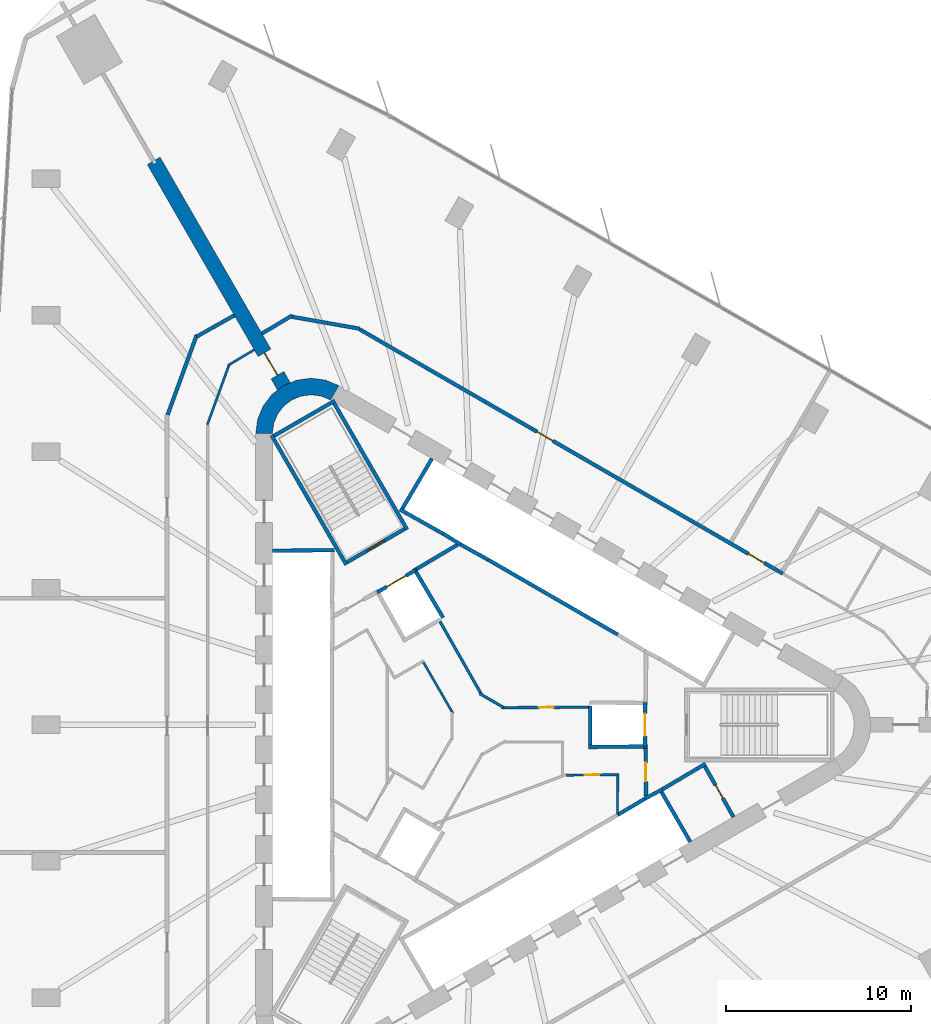
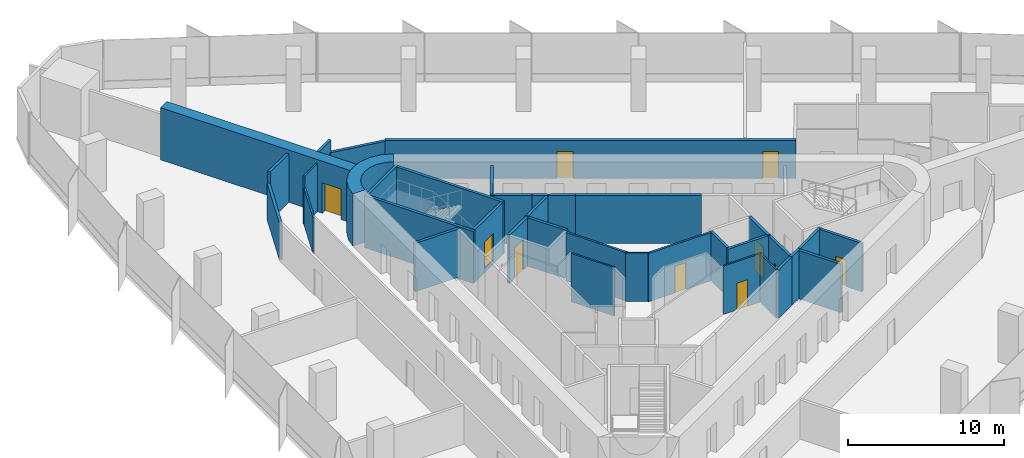
# One storey, part 11 of 14: 37 walls, 10 doors, 10 openings.
"""IFC4 building model written with IfcOpenShell, lengths in metres."""

from ifc_helpers import new_model, si_unit, direction, frame, frame_2d, origin, place, context, subcontext, project, spatial, polyline, rectangle, outline, extrude, material, layer, layer_set, type_object, element, fill, save


model = new_model("IFC4")

# Units and contexts
model_context = context("Model", 3, precision=1e-05, world=origin(), true_north=direction((0.0, 1.0)))
body_context = subcontext(model_context, "Body", "Model", "MODEL_VIEW")
ifc_project = project(units=[si_unit("LENGTHUNIT", "METRE"), si_unit("AREAUNIT", "SQUARE_METRE"), si_unit("VOLUMEUNIT", "CUBIC_METRE"), si_unit("PLANEANGLEUNIT", "RADIAN"), si_unit("MASSUNIT", "GRAM", prefix="KILO")], contexts=[model_context])

# Site, building, storey
site_placement = place(None, origin())
site = spatial("IfcSite", under=ifc_project, at=site_placement, CompositionType="ELEMENT")
building_placement = place(site_placement, origin())
building = spatial("IfcBuilding", under=site, at=building_placement, Name="Tanit Gate Tower", CompositionType="ELEMENT")
storey_placement = place(building_placement, frame((0.0, 0.0, 45.5)))
storey = spatial("IfcBuildingStorey", under=building, at=storey_placement, Name="L07", CompositionType="ELEMENT", Elevation=45.5)

# Wall, opening, door
ifc_material_1 = material(Name="Concrete C60/75", Category="concrete")
ifc_layer_1 = layer(ifc_material_1, 0.800048828125)
ifc_layer_set_1 = layer_set([ifc_layer_1], Name="BUTTRESS FIN 800 C60/75")
wall_type_1 = type_object("IfcWallType", Name="BUTTRESS FIN 800 C60/75", PredefinedType="SHEAR", material=ifc_layer_set_1)
wall_1_placement = place(storey_placement, frame((-10.574951171875, 18.31640625, 0.0), z_axis=(0.0, 0.0, 1.0), x_axis=(-0.499996272984, 0.866027555568, 0.0)))
wall_1 = element("IfcWall", 1, at=wall_1_placement, inside=storey, type_object=wall_type_1, Name="BUTTRESS FIN", PredefinedType="SHEAR", context=body_context, shape_type="SweptSolid", body=[
    extrude(rectangle(XDim=14.09814453125, YDim=0.800048828125, at=frame_2d((7.049072265625, 0.0))), origin(), (0.0, 0.0, 1.0), 4.10009765625),
])
opening_1_placement = place(wall_1_placement, frame((0.699951171875, 0.0, 0.0)))
opening_1 = element("IfcOpeningElement", 2, at=opening_1_placement, cuts=wall_1, Name="Opening P14-S00-F-NW-1", PredefinedType="OPENING", context=body_context, shape_type="SweptSolid", body=[
    extrude(rectangle(XDim=1.39990234375, YDim=2.39990234375, at=frame_2d((0.699951171875, 1.199951171875))), frame((0.0, 0.41015625, 0.0), z_axis=(0.0, -1.0, 0.0), x_axis=(1.0, 0.0, 0.0)), (0.0, 0.0, 1.0), 0.820068359375),
])
ifc_material_2 = material(Name="Timber door leaf", Category="wood")
door_type_1 = type_object("IfcDoorType", Name="INT-DOOR-FIN-PAIR-1400", OperationType="NOTDEFINED", PredefinedType="NOTDEFINED", material=ifc_material_2)
door_1_placement = place(opening_1_placement, origin())
door_1 = element("IfcDoor", 3, at=door_1_placement, inside=storey, type_object=door_type_1, Name="Door P14-S00-F-NW-1", OperationType="DOUBLE_DOOR_SINGLE_SWING", OverallHeight=2.39990234375, OverallWidth=1.39990234375, PredefinedType="NOTDEFINED", context=body_context, shape_type="SweptSolid", body=[
    extrude(rectangle(XDim=1.39990234375, YDim=2.39990234375, at=frame_2d((0.699951171875, 1.199951171875))), frame((0.0, 0.02490234375, 0.0), z_axis=(0.0, -1.0, 0.0), x_axis=(1.0, 0.0, 0.0)), (0.0, 0.0, 1.0), 0.050048828125),
])
fill(opening_1, door_1)

# Walls
ifc_material_3 = material(Name="Concrete C60/75", Category="concrete")
ifc_layer_2 = layer(ifc_material_3, 0.89990234375)
ifc_layer_set_2 = layer_set([ifc_layer_2], Name="CORE WALL 900 C60/75")
wall_type_2 = type_object("IfcWallType", Name="CORE WALL 900 C60/75", PredefinedType="SHEAR", material=ifc_layer_set_2)
wall_2_placement = place(storey_placement, origin())
element("IfcWall", 4, at=wall_2_placement, inside=storey, type_object=wall_type_2, Name="CORE WALL CORNER", PredefinedType="SHEAR", context=body_context, shape_type="SweptSolid", body=[
    extrude(outline(polyline([(-7.60009765625, 18.359619140625), (-8.323486328125, 18.659423828125), (-9.10009765625, 18.76171875), (-9.87646484375, 18.659423828125), (-10.60009765625, 18.359619140625), (-11.22119140625, 17.883056640625), (-11.697998046875, 17.26171875), (-11.997802734375, 16.5380859375), (-12.10009765625, 15.76171875), (-11.199951171875, 15.76171875), (-11.12841796875, 16.30517578125), (-10.918701171875, 16.811767578125), (-10.5849609375, 17.24658203125), (-10.14990234375, 17.580322265625), (-9.6435546875, 17.7900390625), (-9.10009765625, 17.86181640625), (-8.556396484375, 17.7900390625), (-8.050048828125, 17.580322265625), (-7.60009765625, 18.359619140625)])), origin(), (0.0, 0.0, 1.0), 4.10009765625),
])
ifc_material_4 = material(Name="Fire-rated gypsum board partition")
ifc_layer_3 = layer(ifc_material_4, 0.199951171875)
ifc_layer_set_3 = layer_set([ifc_layer_3], Name="INT-WALL-COMPARTMENT")
wall_type_3 = type_object("IfcWallType", Name="INT-WALL-COMPARTMENT", PredefinedType="PARTITIONING", material=ifc_layer_set_3)
wall_3_placement = place(storey_placement, frame((12.244873046875, -2.10888671875, 0.0), z_axis=(0.0, 0.0, 1.0), x_axis=(-0.860414880418, -0.509594185166, 0.0)))
element("IfcWall", 5, at=wall_3_placement, inside=storey, type_object=wall_type_3, Name="Wall Compartment W057", PredefinedType="PARTITIONING", context=body_context, shape_type="SweptSolid", body=[
    extrude(rectangle(XDim=2.7001953125, YDim=0.199951171875, at=frame_2d((1.35009765625, 0.0))), origin(), (0.0, 0.0, 1.0), 3.800048828125),
])

# Wall, opening, door
wall_4_placement = place(storey_placement, frame((13.758056640625, -4.989501953125, 0.0), z_axis=(0.0, 0.0, 1.0), x_axis=(-0.491993409184, 0.87059892334, 0.0)))
wall_4 = element("IfcWall", 6, at=wall_4_placement, inside=storey, type_object=wall_type_3, Name="Wall Compartment W058", PredefinedType="PARTITIONING", context=body_context, shape_type="SweptSolid", body=[
    extrude(rectangle(XDim=3.150146484375, YDim=0.199951171875, at=frame_2d((1.5751953125, 0.0))), origin(), (0.0, 0.0, 1.0), 3.800048828125),
])
opening_2_placement = place(wall_4_placement, frame((1.175048828125, 0.0, 0.0)))
opening_2 = element("IfcOpeningElement", 7, at=opening_2_placement, cuts=wall_4, Name="Opening R08-S00-15", PredefinedType="OPENING", context=body_context, shape_type="SweptSolid", body=[
    extrude(rectangle(XDim=0.800048828125, YDim=2.10009765625, at=frame_2d((0.39990234375, 1.050048828125))), frame((0.0, 0.10986328125, 0.0), z_axis=(0.0, -1.0, 0.0), x_axis=(1.0, 0.0, 0.0)), (0.0, 0.0, 1.0), 0.219970703125),
])
ifc_material_5 = material(Name="Timber door leaf", Category="wood")
door_type_2 = type_object("IfcDoorType", Name="INT-DOOR-RISER-800", OperationType="NOTDEFINED", PredefinedType="USERDEFINED", material=ifc_material_5)
door_2_placement = place(opening_2_placement, origin())
door_2 = element("IfcDoor", 8, at=door_2_placement, inside=storey, type_object=door_type_2, Name="Door R08-S00-15", ObjectType="FIRE DOOR", OperationType="SINGLE_SWING_RIGHT", OverallHeight=2.10009765625, OverallWidth=0.800048828125, PredefinedType="USERDEFINED", context=body_context, shape_type="SweptSolid", body=[
    extrude(rectangle(XDim=0.800048828125, YDim=2.10009765625, at=frame_2d((0.39990234375, 1.050048828125))), frame((0.0, 0.02490234375, 0.0), z_axis=(0.0, -1.0, 0.0), x_axis=(1.0, 0.0, 0.0)), (0.0, 0.0, 1.0), 0.050048828125),
])
fill(opening_2, door_2)

wall_5_placement = place(storey_placement, frame((9.02880859375, -3.850830078125, 0.0), z_axis=(0.0, 0.0, 1.0), x_axis=(-0.010783593937, 0.99994185536, 0.0)))
wall_5 = element("IfcWall", 9, at=wall_5_placement, inside=storey, type_object=wall_type_3, Name="Wall Compartment W060", PredefinedType="PARTITIONING", context=body_context, shape_type="SweptSolid", body=[
    extrude(rectangle(XDim=2.5810546875, YDim=0.199951171875, at=frame_2d((1.29052734375, 0.0))), origin(), (0.0, 0.0, 1.0), 3.800048828125),
])
opening_3_placement = place(wall_5_placement, frame((0.79052734375, 0.0, 0.0)))
opening_3 = element("IfcOpeningElement", 10, at=opening_3_placement, cuts=wall_5, Name="Opening F10-S00-02", PredefinedType="OPENING", context=body_context, shape_type="SweptSolid", body=[
    extrude(rectangle(XDim=1.0, YDim=2.10009765625, at=frame_2d((0.5, 1.050048828125))), frame((0.0, 0.10986328125, 0.0), z_axis=(0.0, -1.0, 0.0), x_axis=(1.0, 0.0, 0.0)), (0.0, 0.0, 1.0), 0.219970703125),
])
ifc_material_6 = material(Name="Fire-rated steel door leaf", Category="steel")
door_type_3 = type_object("IfcDoorType", Name="INT-DOOR-FIRE-1000", OperationType="NOTDEFINED", PredefinedType="USERDEFINED", material=ifc_material_6)
door_3_placement = place(opening_3_placement, origin())
door_3 = element("IfcDoor", 11, at=door_3_placement, inside=storey, type_object=door_type_3, Name="Door F10-S00-02", ObjectType="FIRE DOOR", OperationType="SINGLE_SWING_LEFT", OverallHeight=2.10009765625, OverallWidth=1.0, PredefinedType="USERDEFINED", context=body_context, shape_type="SweptSolid", body=[
    extrude(rectangle(XDim=1.0, YDim=2.10009765625, at=frame_2d((0.5, 1.050048828125))), frame((0.0, 0.02490234375, 0.0), z_axis=(0.0, -1.0, 0.0), x_axis=(1.0, 0.0, 0.0)), (0.0, 0.0, 1.0), 0.050048828125),
])
fill(opening_3, door_3)

# Walls
wall_6_placement = place(storey_placement, frame((-1.1796875, 9.744384765625, 0.0), z_axis=(0.0, 0.0, 1.0), x_axis=(-0.860615607571, -0.509255118781, 0.0)))
element("IfcWall", 12, at=wall_6_placement, inside=storey, type_object=wall_type_3, Name="Wall Compartment W061", PredefinedType="PARTITIONING", context=body_context, shape_type="SweptSolid", body=[
    extrude(rectangle(XDim=2.58056640625, YDim=0.199951171875, at=frame_2d((1.290283203125, 0.0))), origin(), (0.0, 0.0, 1.0), 3.800048828125),
])
wall_7_placement = place(storey_placement, frame((-15.29345703125, 21.1015625, 0.0), z_axis=(0.0, 0.0, 1.0), x_axis=(-0.341981820704, -0.939706568195, 0.0)))
element("IfcWall", 13, at=wall_7_placement, inside=storey, type_object=wall_type_3, Name="Wall Compartment W098", PredefinedType="PARTITIONING", context=body_context, shape_type="SweptSolid", body=[
    extrude(rectangle(XDim=4.597412109375, YDim=0.199951171875, at=frame_2d((2.298828125, 0.0))), origin(), (0.0, 0.0, 1.0), 2.8798828125),
])
wall_8_placement = place(storey_placement, frame((-13.256591796875, 22.1611328125, 0.0), z_axis=(0.0, 0.0, 1.0), x_axis=(-0.871385546515, -0.49059884766, 0.0)))
element("IfcWall", 14, at=wall_8_placement, inside=storey, type_object=wall_type_3, Name="Wall Compartment W099", PredefinedType="PARTITIONING", context=body_context, shape_type="SweptSolid", body=[
    extrude(rectangle(XDim=2.33447265625, YDim=0.199951171875, at=frame_2d((1.167236328125, 0.0))), origin(), (0.0, 0.0, 1.0), 3.800048828125),
])
wall_9_placement = place(storey_placement, frame((-10.11767578125, 22.157470703125, 0.0), z_axis=(0.0, 0.0, 1.0), x_axis=(-0.859118225537, -0.511777172752, 0.0)))
element("IfcWall", 15, at=wall_9_placement, inside=storey, type_object=wall_type_3, Name="Wall Compartment W100", PredefinedType="PARTITIONING", context=body_context, shape_type="SweptSolid", body=[
    extrude(rectangle(XDim=1.916748046875, YDim=0.199951171875, at=frame_2d((0.95849609375, 0.0))), origin(), (0.0, 0.0, 1.0), 3.800048828125),
])
wall_10_placement = place(storey_placement, frame((-6.458984375, 21.435546875, 0.0), z_axis=(0.0, 0.0, 1.0), x_axis=(-0.984812903812, 0.173618963498, 0.0)))
element("IfcWall", 16, at=wall_10_placement, inside=storey, type_object=wall_type_3, Name="Wall Compartment W101", PredefinedType="PARTITIONING", context=body_context, shape_type="SweptSolid", body=[
    extrude(rectangle(XDim=3.76708984375, YDim=0.199951171875, at=frame_2d((1.883544921875, 0.0))), origin(), (0.0, 0.0, 1.0), 2.8798828125),
])

# Wall, openings, doors
wall_11_placement = place(storey_placement, frame((16.4228515625, 8.185302734375, 0.0), z_axis=(0.0, 0.0, 1.0), x_axis=(-0.866026561282, 0.49999799515, 0.0)))
wall_11 = element("IfcWall", 17, at=wall_11_placement, inside=storey, type_object=wall_type_3, Name="Wall Compartment W103", PredefinedType="PARTITIONING", context=body_context, shape_type="SweptSolid", body=[
    extrude(rectangle(XDim=26.43505859375, YDim=0.199951171875, at=frame_2d((13.217529296875, 0.0))), origin(), (0.0, 0.0, 1.0), 2.97998046875),
])
opening_4_placement = place(wall_11_placement, frame((14.3564453125, 0.0, 0.0)))
opening_4 = element("IfcOpeningElement", 18, at=opening_4_placement, cuts=wall_11, Name="Opening F10-S00-24", PredefinedType="OPENING", context=body_context, shape_type="SweptSolid", body=[
    extrude(rectangle(XDim=1.0, YDim=2.10009765625, at=frame_2d((0.5, 1.050048828125))), frame((0.0, 0.10986328125, 0.0), z_axis=(0.0, -1.0, 0.0), x_axis=(1.0, 0.0, 0.0)), (0.0, 0.0, 1.0), 0.219970703125),
])
opening_5_placement = place(wall_11_placement, frame((1.138671875, 0.0, 0.0)))
opening_5 = element("IfcOpeningElement", 19, at=opening_5_placement, cuts=wall_11, Name="Opening F10-S00-25", PredefinedType="OPENING", context=body_context, shape_type="SweptSolid", body=[
    extrude(rectangle(XDim=1.0, YDim=2.10009765625, at=frame_2d((0.5, 1.050048828125))), frame((0.0, 0.10986328125, 0.0), z_axis=(0.0, -1.0, 0.0), x_axis=(1.0, 0.0, 0.0)), (0.0, 0.0, 1.0), 0.219970703125),
])
door_4_placement = place(opening_4_placement, origin())
door_4 = element("IfcDoor", 20, at=door_4_placement, inside=storey, type_object=door_type_3, Name="Door F10-S00-24", ObjectType="FIRE DOOR", OperationType="SINGLE_SWING_RIGHT", OverallHeight=2.10009765625, OverallWidth=1.0, PredefinedType="USERDEFINED", context=body_context, shape_type="SweptSolid", body=[
    extrude(rectangle(XDim=1.0, YDim=2.10009765625, at=frame_2d((0.5, 1.050048828125))), frame((0.0, 0.02490234375, 0.0), z_axis=(0.0, -1.0, 0.0), x_axis=(1.0, 0.0, 0.0)), (0.0, 0.0, 1.0), 0.050048828125),
])
fill(opening_4, door_4)
door_5_placement = place(opening_5_placement, origin())
door_5 = element("IfcDoor", 21, at=door_5_placement, inside=storey, type_object=door_type_3, Name="Door F10-S00-25", ObjectType="FIRE DOOR", OperationType="SINGLE_SWING_RIGHT", OverallHeight=2.10009765625, OverallWidth=1.0, PredefinedType="USERDEFINED", context=body_context, shape_type="SweptSolid", body=[
    extrude(rectangle(XDim=1.0, YDim=2.10009765625, at=frame_2d((0.5, 1.050048828125))), frame((0.0, 0.02490234375, 0.0), z_axis=(0.0, -1.0, 0.0), x_axis=(1.0, 0.0, 0.0)), (0.0, 0.0, 1.0), 0.050048828125),
])
fill(opening_5, door_5)

# Wall, opening, door
ifc_material_7 = material(Name="Gypsum board partition")
ifc_layer_4 = layer(ifc_material_7, 0.1201171875)
ifc_layer_set_4 = layer_set([ifc_layer_4], Name="INT-WALL-PARTITION")
wall_type_4 = type_object("IfcWallType", Name="INT-WALL-PARTITION", PredefinedType="PARTITIONING", material=ifc_layer_set_4)
wall_12_placement = place(storey_placement, frame((7.56005859375, -2.699462890625, 0.0), z_axis=(0.0, 0.0, 1.0), x_axis=(-0.999948120507, -0.010186083405, 0.0)))
wall_12 = element("IfcWall", 22, at=wall_12_placement, inside=storey, type_object=wall_type_4, Name="Wall Partition W074", PredefinedType="PARTITIONING", context=body_context, shape_type="SweptSolid", body=[
    extrude(rectangle(XDim=2.852294921875, YDim=0.1201171875, at=frame_2d((1.42626953125, 0.0))), origin(), (0.0, 0.0, 1.0), 3.800048828125),
])
opening_6_placement = place(wall_12_placement, frame((1.05615234375, 0.0, 0.0)))
opening_6 = element("IfcOpeningElement", 23, at=opening_6_placement, cuts=wall_12, Name="Opening R08-S00-12", PredefinedType="OPENING", context=body_context, shape_type="SweptSolid", body=[
    extrude(rectangle(XDim=0.800048828125, YDim=2.10009765625, at=frame_2d((0.39990234375, 1.050048828125))), frame((0.0, 0.070068359375, 0.0), z_axis=(0.0, -1.0, 0.0), x_axis=(1.0, 0.0, 0.0)), (0.0, 0.0, 1.0), 0.14013671875),
])
door_6_placement = place(opening_6_placement, origin())
door_6 = element("IfcDoor", 24, at=door_6_placement, inside=storey, type_object=door_type_2, Name="Door R08-S00-12", ObjectType="FIRE DOOR", OperationType="SINGLE_SWING_RIGHT", OverallHeight=2.10009765625, OverallWidth=0.800048828125, PredefinedType="USERDEFINED", context=body_context, shape_type="SweptSolid", body=[
    extrude(rectangle(XDim=0.800048828125, YDim=2.10009765625, at=frame_2d((0.39990234375, 1.050048828125))), frame((0.0, 0.02490234375, 0.0), z_axis=(0.0, -1.0, 0.0), x_axis=(1.0, 0.0, 0.0)), (0.0, 0.0, 1.0), 0.050048828125),
])
fill(opening_6, door_6)

# Walls
wall_13_placement = place(storey_placement, frame((7.474609375, -4.864501953125, 0.0), z_axis=(0.0, 0.0, 1.0), x_axis=(0.011716133148, 0.999931363757, 0.0)))
element("IfcWall", 25, at=wall_13_placement, inside=storey, type_object=wall_type_4, Name="Wall Partition W075", PredefinedType="PARTITIONING", context=body_context, shape_type="SweptSolid", body=[
    extrude(rectangle(XDim=2.104736328125, YDim=0.1201171875, at=frame_2d((1.05224609375, 0.0))), origin(), (0.0, 0.0, 1.0), 3.800048828125),
])
wall_14_placement = place(storey_placement, frame((-1.420166015625, 0.610107421875, 0.0), z_axis=(0.0, 0.0, 1.0), x_axis=(-0.500034908033, 0.866005248684, 0.0)))
element("IfcWall", 26, at=wall_14_placement, inside=storey, type_object=wall_type_4, Name="Wall Partition W083", PredefinedType="PARTITIONING", context=body_context, shape_type="SweptSolid", body=[
    extrude(rectangle(XDim=3.201416015625, YDim=0.1201171875, at=frame_2d((1.6005859375, 0.0))), origin(), (0.0, 0.0, 1.0), 3.800048828125),
])
wall_15_placement = place(storey_placement, frame((-12.181396484375, 20.299072265625, 0.0), z_axis=(0.0, 0.0, 1.0), x_axis=(-0.8583241935, -0.51310776534, 0.0)))
element("IfcWall", 27, at=wall_15_placement, inside=storey, type_object=wall_type_4, Name="Wall Partition W088", PredefinedType="PARTITIONING", context=body_context, shape_type="SweptSolid", body=[
    extrude(rectangle(XDim=1.65625, YDim=0.1201171875, at=frame_2d((0.828125, 0.0))), origin(), (0.0, 0.0, 1.0), 3.800048828125),
])
wall_16_placement = place(storey_placement, frame((-13.54931640625, 19.461181640625, 0.0), z_axis=(0.0, 0.0, 1.0), x_axis=(-0.341989191955, -0.939703885586, 0.0)))
element("IfcWall", 28, at=wall_16_placement, inside=storey, type_object=wall_type_4, Name="Wall Partition W089", PredefinedType="PARTITIONING", context=body_context, shape_type="SweptSolid", body=[
    extrude(rectangle(XDim=3.424560546875, YDim=0.1201171875, at=frame_2d((1.71240234375, 0.0))), origin(), (0.0, 0.0, 1.0), 2.8798828125),
])

# Wall, opening, door
ifc_material_8 = material(Name="Fire-rated gypsum board partition")
ifc_layer_5 = layer(ifc_material_8, 0.14990234375)
ifc_layer_set_5 = layer_set([ifc_layer_5], Name="INT-WALL-RISER")
wall_type_5 = type_object("IfcWallType", Name="INT-WALL-RISER", PredefinedType="PLUMBINGWALL", material=ifc_layer_set_5)
wall_17_placement = place(storey_placement, frame((1.21435546875, 0.924072265625, 0.0), z_axis=(0.0, 0.0, 1.0), x_axis=(0.999979796062, 0.006356686907, 0.0)))
wall_17 = element("IfcWall", 29, at=wall_17_placement, inside=storey, type_object=wall_type_5, Name="Wall Riser W065", PredefinedType="PLUMBINGWALL", context=body_context, shape_type="SweptSolid", body=[
    extrude(rectangle(XDim=4.685546875, YDim=0.14990234375, at=frame_2d((2.3427734375, 0.0))), origin(), (0.0, 0.0, 1.0), 3.800048828125),
])
opening_7_placement = place(wall_17_placement, frame((2.0068359375, 0.0, 0.0)))
opening_7 = element("IfcOpeningElement", 30, at=opening_7_placement, cuts=wall_17, Name="Opening R08-S00-10", PredefinedType="OPENING", context=body_context, shape_type="SweptSolid", body=[
    extrude(rectangle(XDim=0.800048828125, YDim=2.10009765625, at=frame_2d((0.39990234375, 1.050048828125))), frame((0.0, 0.0849609375, 0.0), z_axis=(0.0, -1.0, 0.0), x_axis=(1.0, 0.0, 0.0)), (0.0, 0.0, 1.0), 0.169921875),
])
door_7_placement = place(opening_7_placement, origin())
door_7 = element("IfcDoor", 31, at=door_7_placement, inside=storey, type_object=door_type_2, Name="Door R08-S00-10", ObjectType="FIRE DOOR", OperationType="SINGLE_SWING_LEFT", OverallHeight=2.10009765625, OverallWidth=0.800048828125, PredefinedType="USERDEFINED", context=body_context, shape_type="SweptSolid", body=[
    extrude(rectangle(XDim=0.800048828125, YDim=2.10009765625, at=frame_2d((0.39990234375, 1.050048828125))), frame((0.0, 0.02490234375, 0.0), z_axis=(0.0, -1.0, 0.0), x_axis=(1.0, 0.0, 0.0)), (0.0, 0.0, 1.0), 0.050048828125),
])
fill(opening_7, door_7)

# Walls
wall_18_placement = place(storey_placement, frame((0.01904296875, 1.68896484375, 0.0), z_axis=(0.0, 0.0, 1.0), x_axis=(0.866047774678, -0.499961250474, 0.0)))
element("IfcWall", 32, at=wall_18_placement, inside=storey, type_object=wall_type_5, Name="Wall Riser W066", PredefinedType="PLUMBINGWALL", context=body_context, shape_type="SweptSolid", body=[
    extrude(rectangle(XDim=1.50439453125, YDim=0.14990234375, at=frame_2d((0.752197265625, 0.0))), origin(), (0.0, 0.0, 1.0), 3.800048828125),
])
wall_19_placement = place(storey_placement, frame((-2.1240234375, 5.58642578125, 0.0), z_axis=(0.0, 0.0, 1.0), x_axis=(0.494514430604, -0.869169418424, 0.0)))
element("IfcWall", 33, at=wall_19_placement, inside=storey, type_object=wall_type_5, Name="Wall Riser W067", PredefinedType="PLUMBINGWALL", context=body_context, shape_type="SweptSolid", body=[
    extrude(rectangle(XDim=4.5341796875, YDim=0.14990234375, at=frame_2d((2.26708984375, 0.0))), origin(), (0.0, 0.0, 1.0), 3.800048828125),
])
ifc_material_9 = material(Name="Gypsum shaft wall system")
ifc_layer_6 = layer(ifc_material_9, 0.199951171875)
ifc_layer_set_6 = layer_set([ifc_layer_6], Name="INT-WALL-SHAFT")
wall_type_6 = type_object("IfcWallType", Name="INT-WALL-SHAFT", PredefinedType="PLUMBINGWALL", material=ifc_layer_set_6)
wall_20_placement = place(storey_placement, frame((-11.199951171875, 9.419921875, 0.0), z_axis=(0.0, 0.0, 1.0), x_axis=(0.999957167047, 0.009255488683, 0.0)))
element("IfcWall", 34, at=wall_20_placement, inside=storey, type_object=wall_type_6, Name="Wall Shaft W001", PredefinedType="PLUMBINGWALL", context=body_context, shape_type="SweptSolid", body=[
    extrude(rectangle(XDim=3.35009765625, YDim=0.199951171875, at=frame_2d((1.675048828125, 0.0))), origin(), (0.0, 0.0, 1.0), 3.800048828125),
])
wall_21_placement = place(storey_placement, frame((7.497314453125, 4.885986328125, 0.0), z_axis=(0.0, 0.0, 1.0), x_axis=(-0.866030989016, 0.499990325971, 0.0)))
element("IfcWall", 35, at=wall_21_placement, inside=storey, type_object=wall_type_6, Name="Wall Shaft W003", PredefinedType="PLUMBINGWALL", context=body_context, shape_type="SweptSolid", body=[
    extrude(rectangle(XDim=8.099853515625, YDim=0.199951171875, at=frame_2d((4.0498046875, 0.0))), origin(), (0.0, 0.0, 1.0), 3.800048828125),
])
wall_22_placement = place(storey_placement, frame((-1.940673828125, 10.338623046875, 0.0), z_axis=(0.0, 0.0, 1.0), x_axis=(0.850216889117, -0.526432561171, 0.0)))
element("IfcWall", 36, at=wall_22_placement, inside=storey, type_object=wall_type_6, Name="Wall Shaft W019", PredefinedType="PLUMBINGWALL", context=body_context, shape_type="SweptSolid", body=[
    extrude(rectangle(XDim=1.078369140625, YDim=0.199951171875, at=frame_2d((0.5390625, 0.0))), origin(), (0.0, 0.0, 1.0), 3.800048828125),
])
wall_23_placement = place(storey_placement, frame((0.482666015625, 8.935791015625, 0.0), z_axis=(0.0, 0.0, 1.0), x_axis=(-0.874269620932, 0.485440655401, 0.0)))
element("IfcWall", 37, at=wall_23_placement, inside=storey, type_object=wall_type_6, Name="Wall Shaft W020", PredefinedType="PLUMBINGWALL", context=body_context, shape_type="SweptSolid", body=[
    extrude(rectangle(XDim=1.8447265625, YDim=0.199951171875, at=frame_2d((0.92236328125, 0.0))), origin(), (0.0, 0.0, 1.0), 3.800048828125),
])
wall_24_placement = place(storey_placement, frame((-4.296142578125, 11.658935546875, 0.0), z_axis=(0.0, 0.0, 1.0), x_axis=(0.871534483978, -0.490334215854, 0.0)))
element("IfcWall", 38, at=wall_24_placement, inside=storey, type_object=wall_type_6, Name="Wall Shaft W021", PredefinedType="PLUMBINGWALL", context=body_context, shape_type="SweptSolid", body=[
    extrude(rectangle(XDim=2.7001953125, YDim=0.199951171875, at=frame_2d((1.35009765625, 0.0))), origin(), (0.0, 0.0, 1.0), 3.800048828125),
])
wall_25_placement = place(storey_placement, frame((-4.158203125, 11.696044921875, 0.0), z_axis=(0.0, 0.0, 1.0), x_axis=(0.508018930956, 0.861345903683, 0.0)))
element("IfcWall", 39, at=wall_25_placement, inside=storey, type_object=wall_type_6, Name="Wall Shaft W022", PredefinedType="PLUMBINGWALL", context=body_context, shape_type="SweptSolid", body=[
    extrude(rectangle(XDim=3.150146484375, YDim=0.199951171875, at=frame_2d((1.5751953125, 0.0))), origin(), (0.0, 0.0, 1.0), 3.800048828125),
])
wall_26_placement = place(storey_placement, frame((9.794677734375, -3.52490234375, 0.0), z_axis=(0.0, 0.0, 1.0), x_axis=(0.499984717929, -0.866034226713, 0.0)))
element("IfcWall", 40, at=wall_26_placement, inside=storey, type_object=wall_type_6, Name="Wall Shaft W024", PredefinedType="PLUMBINGWALL", context=body_context, shape_type="SweptSolid", body=[
    extrude(rectangle(XDim=3.25, YDim=0.199951171875, at=frame_2d((1.625, 0.0))), origin(), (0.0, 0.0, 1.0), 3.800048828125),
])
wall_27_placement = place(storey_placement, frame((8.97412109375, -3.998779296875, 0.0), z_axis=(0.0, 0.0, 1.0), x_axis=(0.880907015104, 0.473289373154, 0.0)))
element("IfcWall", 41, at=wall_27_placement, inside=storey, type_object=wall_type_6, Name="Wall Shaft W025", PredefinedType="PLUMBINGWALL", context=body_context, shape_type="SweptSolid", body=[
    extrude(rectangle(XDim=1.078125, YDim=0.199951171875, at=frame_2d((0.5390625, 0.0))), origin(), (0.0, 0.0, 1.0), 3.800048828125),
])
wall_28_placement = place(storey_placement, frame((7.4931640625, -4.87841796875, 0.0), z_axis=(0.0, 0.0, 1.0), x_axis=(0.859981807212, 0.510324691999, 0.0)))
element("IfcWall", 42, at=wall_28_placement, inside=storey, type_object=wall_type_6, Name="Wall Shaft W026", PredefinedType="PLUMBINGWALL", context=body_context, shape_type="SweptSolid", body=[
    extrude(rectangle(XDim=1.8447265625, YDim=0.199951171875, at=frame_2d((0.92236328125, 0.0))), origin(), (0.0, 0.0, 1.0), 3.800048828125),
])

# Wall, opening, door
wall_29_placement = place(storey_placement, frame((8.969970703125, 1.199951171875, 0.0), z_axis=(0.0, 0.0, 1.0), x_axis=(0.0, -1.0, 0.0)))
wall_29 = element("IfcWall", 43, at=wall_29_placement, inside=storey, type_object=wall_type_6, Name="Wall Shaft W037", PredefinedType="PLUMBINGWALL", context=body_context, shape_type="SweptSolid", body=[
    extrude(rectangle(XDim=2.39990234375, YDim=0.199951171875, at=frame_2d((1.199951171875, 0.0))), origin(), (0.0, 0.0, 1.0), 3.800048828125),
])
opening_8_placement = place(wall_29_placement, frame((0.60009765625, 0.0, 0.0)))
opening_8 = element("IfcOpeningElement", 44, at=opening_8_placement, cuts=wall_29, Name="Opening LDFL1-L07", PredefinedType="OPENING", context=body_context, shape_type="SweptSolid", body=[
    extrude(rectangle(XDim=1.199951171875, YDim=2.39990234375, at=frame_2d((0.60009765625, 1.199951171875))), frame((0.0, 0.10986328125, 0.0), z_axis=(0.0, -1.0, 0.0), x_axis=(1.0, 0.0, 0.0)), (0.0, 0.0, 1.0), 0.219970703125),
])
ifc_material_10 = material(Name="Stainless steel sliding door leaf", Category="steel")
door_type_4 = type_object("IfcDoorType", Name="INT-DOOR-LANDING-1200", OperationType="NOTDEFINED", PredefinedType="USERDEFINED", material=ifc_material_10)
door_8_placement = place(opening_8_placement, origin())
door_8 = element("IfcDoor", 45, at=door_8_placement, inside=storey, type_object=door_type_4, Name="Door LDFL1-L07", ObjectType="LANDING DOOR", OperationType="SLIDING_TO_LEFT", OverallHeight=2.39990234375, OverallWidth=1.199951171875, PredefinedType="USERDEFINED", context=body_context, shape_type="SweptSolid", body=[
    extrude(rectangle(XDim=1.199951171875, YDim=2.39990234375, at=frame_2d((0.60009765625, 1.199951171875))), frame((0.0, 0.02490234375, 0.0), z_axis=(0.0, -1.0, 0.0), x_axis=(1.0, 0.0, 0.0)), (0.0, 0.0, 1.0), 0.050048828125),
])
fill(opening_8, door_8)

# Walls
wall_30_placement = place(storey_placement, frame((5.89990234375, -1.200927734375, 0.0), z_axis=(0.0, 0.0, 1.0), x_axis=(0.999950064753, 0.009993397809, 0.0)))
element("IfcWall", 46, at=wall_30_placement, inside=storey, type_object=wall_type_6, Name="Wall Shaft W039", PredefinedType="PLUMBINGWALL", context=body_context, shape_type="SweptSolid", body=[
    extrude(rectangle(XDim=3.200439453125, YDim=0.199951171875, at=frame_2d((1.60009765625, 0.0))), origin(), (0.0, 0.0, 1.0), 3.800048828125),
])
wall_31_placement = place(storey_placement, frame((6.0, -1.10009765625, 0.0), z_axis=(0.0, 0.0, 1.0), x_axis=(0.0, 1.0, 0.0)))
element("IfcWall", 47, at=wall_31_placement, inside=storey, type_object=wall_type_6, Name="Wall Shaft W040", PredefinedType="PLUMBINGWALL", context=body_context, shape_type="SweptSolid", body=[
    extrude(rectangle(XDim=2.129638671875, YDim=0.199951171875, at=frame_2d((1.06494140625, 0.0))), origin(), (0.0, 0.0, 1.0), 3.800048828125),
])

# Wall, opening, door
wall_32_placement = place(storey_placement, frame((-5.524169921875, 7.168212890625, 0.0), z_axis=(0.0, 0.0, 1.0), x_axis=(0.866024647952, 0.500001309137, 0.0)))
wall_32 = element("IfcWall", 48, at=wall_32_placement, inside=storey, type_object=wall_type_6, Name="Wall Shaft W045", PredefinedType="PLUMBINGWALL", context=body_context, shape_type="SweptSolid", body=[
    extrude(rectangle(XDim=2.39990234375, YDim=0.199951171875, at=frame_2d((1.199951171875, 0.0))), origin(), (0.0, 0.0, 1.0), 3.800048828125),
])
opening_9_placement = place(wall_32_placement, frame((0.60009765625, 0.0, 0.0)))
opening_9 = element("IfcOpeningElement", 49, at=opening_9_placement, cuts=wall_32, Name="Opening LDFL2-L07", PredefinedType="OPENING", context=body_context, shape_type="SweptSolid", body=[
    extrude(rectangle(XDim=1.199951171875, YDim=2.39990234375, at=frame_2d((0.60009765625, 1.199951171875))), frame((0.0, 0.10986328125, 0.0), z_axis=(0.0, -1.0, 0.0), x_axis=(1.0, 0.0, 0.0)), (0.0, 0.0, 1.0), 0.219970703125),
])
door_9_placement = place(opening_9_placement, origin())
door_9 = element("IfcDoor", 50, at=door_9_placement, inside=storey, type_object=door_type_4, Name="Door LDFL2-L07", ObjectType="LANDING DOOR", OperationType="SLIDING_TO_LEFT", OverallHeight=2.39990234375, OverallWidth=1.199951171875, PredefinedType="USERDEFINED", context=body_context, shape_type="SweptSolid", body=[
    extrude(rectangle(XDim=1.199951171875, YDim=2.39990234375, at=frame_2d((0.60009765625, 1.199951171875))), frame((0.0, 0.02490234375, 0.0), z_axis=(0.0, -1.0, 0.0), x_axis=(1.0, 0.0, 0.0)), (0.0, 0.0, 1.0), 0.050048828125),
])
fill(opening_9, door_9)

# Walls
wall_33_placement = place(storey_placement, frame((-3.53759765625, 8.46533203125, 0.0), z_axis=(0.0, 0.0, 1.0), x_axis=(0.508647062354, -0.860975125052, 0.0)))
element("IfcWall", 51, at=wall_33_placement, inside=storey, type_object=wall_type_6, Name="Wall Shaft W046", PredefinedType="PLUMBINGWALL", context=body_context, shape_type="SweptSolid", body=[
    extrude(rectangle(XDim=3.10009765625, YDim=0.199951171875, at=frame_2d((1.550048828125, 0.0))), origin(), (0.0, 0.0, 1.0), 3.800048828125),
])
ifc_material_11 = material(Name="Concrete C40/50", Category="concrete")
ifc_layer_7 = layer(ifc_material_11, 0.199951171875)
ifc_layer_set_7 = layer_set([ifc_layer_7], Name="INT-WALL-STAIR")
wall_type_7 = type_object("IfcWallType", Name="INT-WALL-STAIR", PredefinedType="SHEAR", material=ifc_layer_set_7)
wall_34_placement = place(storey_placement, frame((-11.245361328125, 15.677734375, -0.300048828125), z_axis=(0.0, 0.0, 1.0), x_axis=(0.499977274689, -0.866038523851, 0.0)))
element("IfcWall", 52, at=wall_34_placement, inside=storey, type_object=wall_type_7, Name="Wall Stair W041", PredefinedType="SHEAR", context=body_context, shape_type="SweptSolid", body=[
    extrude(rectangle(XDim=8.10009765625, YDim=0.199951171875, at=frame_2d((4.050048828125, 0.0))), origin(), (0.0, 0.0, 1.0), 4.10009765625),
])
wall_35_placement = place(storey_placement, frame((-7.81787109375, 17.541015625, -0.300048828125), z_axis=(0.0, 0.0, 1.0), x_axis=(-0.866044365799, -0.499967155389, 0.0)))
element("IfcWall", 53, at=wall_35_placement, inside=storey, type_object=wall_type_7, Name="Wall Stair W042", PredefinedType="SHEAR", context=body_context, shape_type="SweptSolid", body=[
    extrude(rectangle(XDim=3.800048828125, YDim=0.199951171875, at=frame_2d((1.89990234375, 0.0))), origin(), (0.0, 0.0, 1.0), 4.10009765625),
])
wall_36_placement = place(storey_placement, frame((-7.8544921875, 17.404541015625, -0.300048828125), z_axis=(0.0, 0.0, 1.0), x_axis=(0.499997992926, -0.866026562566, 0.0)))
element("IfcWall", 54, at=wall_36_placement, inside=storey, type_object=wall_type_7, Name="Wall Stair W043", PredefinedType="SHEAR", context=body_context, shape_type="SweptSolid", body=[
    extrude(rectangle(XDim=7.89990234375, YDim=0.199951171875, at=frame_2d((3.949951171875, 0.0))), origin(), (0.0, 0.0, 1.0), 4.10009765625),
])

# Wall, opening, door
wall_37_placement = place(storey_placement, frame((-7.158935546875, 8.799560546875, -0.300048828125), z_axis=(0.0, 0.0, 1.0), x_axis=(0.866047807691, 0.499961193289, 0.0)))
wall_37 = element("IfcWall", 55, at=wall_37_placement, inside=storey, type_object=wall_type_7, Name="Wall Stair W044", PredefinedType="SHEAR", context=body_context, shape_type="SweptSolid", body=[
    extrude(rectangle(XDim=3.599853515625, YDim=0.199951171875, at=frame_2d((1.7998046875, 0.0))), origin(), (0.0, 0.0, 1.0), 4.10009765625),
])
opening_10_placement = place(wall_37_placement, frame((1.25, 0.0, 0.300048828125)))
opening_10 = element("IfcOpeningElement", 56, at=opening_10_placement, cuts=wall_37, Name="Opening S11-S00-04", PredefinedType="OPENING", context=body_context, shape_type="SweptSolid", body=[
    extrude(rectangle(XDim=1.10009765625, YDim=2.10009765625, at=frame_2d((0.550048828125, 1.050048828125))), frame((0.0, 0.10986328125, 0.0), z_axis=(0.0, -1.0, 0.0), x_axis=(1.0, 0.0, 0.0)), (0.0, 0.0, 1.0), 0.219970703125),
])
ifc_material_12 = material(Name="Timber door leaf", Category="wood")
door_type_5 = type_object("IfcDoorType", Name="INT-DOOR-STAIR-1100", OperationType="NOTDEFINED", PredefinedType="USERDEFINED", material=ifc_material_12)
door_10_placement = place(opening_10_placement, origin())
door_10 = element("IfcDoor", 57, at=door_10_placement, inside=storey, type_object=door_type_5, Name="Door S11-S00-04", ObjectType="FIRE DOOR", OperationType="SINGLE_SWING_LEFT", OverallHeight=2.10009765625, OverallWidth=1.10009765625, PredefinedType="USERDEFINED", context=body_context, shape_type="SweptSolid", body=[
    extrude(rectangle(XDim=1.10009765625, YDim=2.10009765625, at=frame_2d((0.550048828125, 1.050048828125))), frame((0.0, 0.02490234375, 0.0), z_axis=(0.0, -1.0, 0.0), x_axis=(1.0, 0.0, 0.0)), (0.0, 0.0, 1.0), 0.050048828125),
])
fill(opening_10, door_10)

save(model, "model.ifc")
